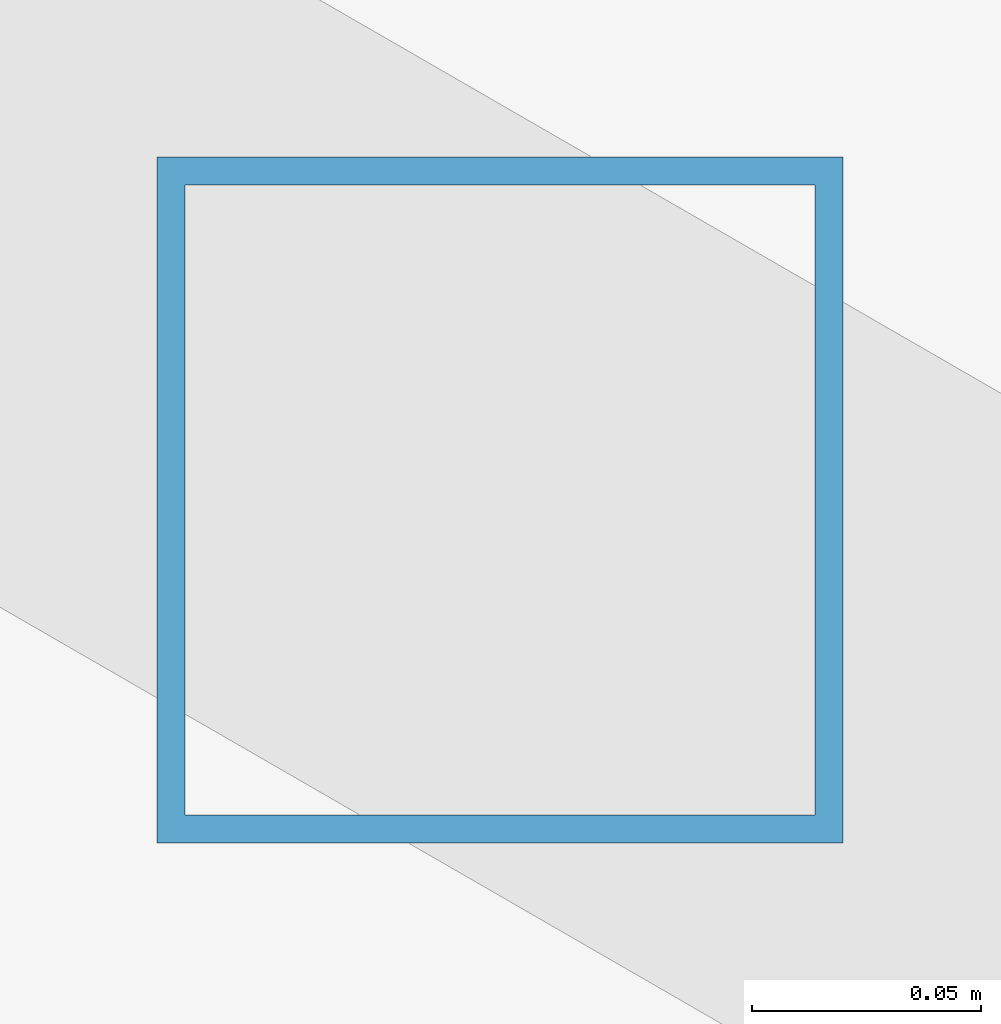
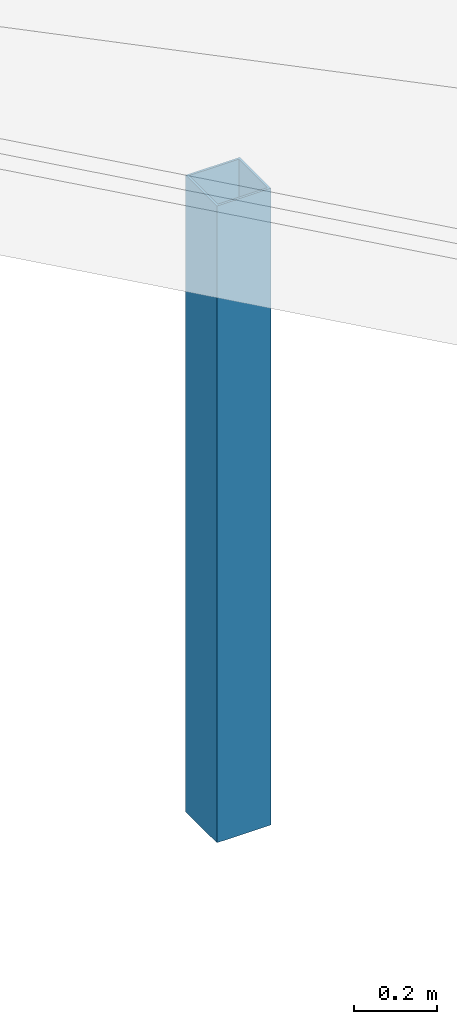
# One storey, part 37 of 93: 1 member.
"""IFC4 building model written with IfcOpenShell, lengths in metres."""

from ifc_helpers import new_model, si_unit, direction, frame, origin, origin_2d, place, context, subcontext, project, spatial, hollow_rectangle, extrude, material, material_profile, profile_set, type_object, element, save


model = new_model("IFC4")

# Units and contexts
model_context = context("Model", 3, precision=1e-05, world=origin(), true_north=direction((0.0, 1.0)))
body_context = subcontext(model_context, "Body", "Model", "MODEL_VIEW")
ifc_project = project(units=[si_unit("LENGTHUNIT", "METRE"), si_unit("AREAUNIT", "SQUARE_METRE"), si_unit("VOLUMEUNIT", "CUBIC_METRE"), si_unit("PLANEANGLEUNIT", "RADIAN"), si_unit("MASSUNIT", "GRAM", prefix="KILO")], contexts=[model_context])

# Site, building, storey
site_placement = place(None, origin())
site = spatial("IfcSite", under=ifc_project, at=site_placement, CompositionType="ELEMENT")
building_placement = place(site_placement, origin())
building = spatial("IfcBuilding", under=site, at=building_placement, Name="Vondelvale Polytechnic", CompositionType="ELEMENT")
storey_placement = place(building_placement, frame((0.0, 0.0, 18.0)))
storey = spatial("IfcBuildingStorey", under=building, at=storey_placement, Name="L04", CompositionType="ELEMENT", Elevation=18.0)

# Member
ifc_material = material(Name="Steel C350L0 (fy = 350 MPa)", Category="steel")
ifc_material_profile = material_profile(ifc_material, hollow_rectangle(XDim=0.14990234375, YDim=0.14990234375, WallThickness=0.006103515625, at=origin_2d()), Name="150x150x6.0SHS")
ifc_profile_set = profile_set([ifc_material_profile], Name="Steel C350L0 (fy = 350 MPa)")
member_type = type_object("IfcMemberType", Name="ROOF TRUSS POST 150SHS", PredefinedType="POST", material=ifc_profile_set)
member_placement = place(storey_placement, frame((69.95703125, 90.5, 0.0), z_axis=(0.0, 0.0, 1.0), x_axis=(1.0, 0.0, 0.0)))
element("IfcMember", 1, at=member_placement, inside=storey, type_object=member_type, Name="Ring mid roof post 10", PredefinedType="POST", context=body_context, shape_type="SweptSolid", body=[
    extrude(hollow_rectangle(XDim=0.14990234375, YDim=0.14990234375, WallThickness=0.006103515625, at=origin_2d()), origin(), (0.0, 0.0, 1.0), 1.86572265625),
])

save(model, "model.ifc")
